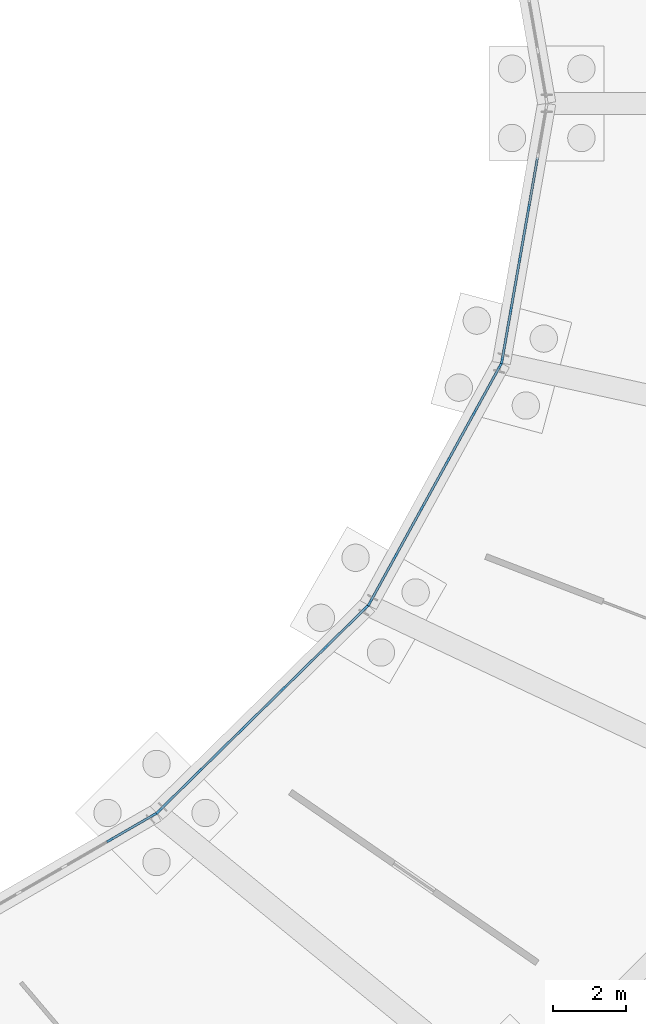
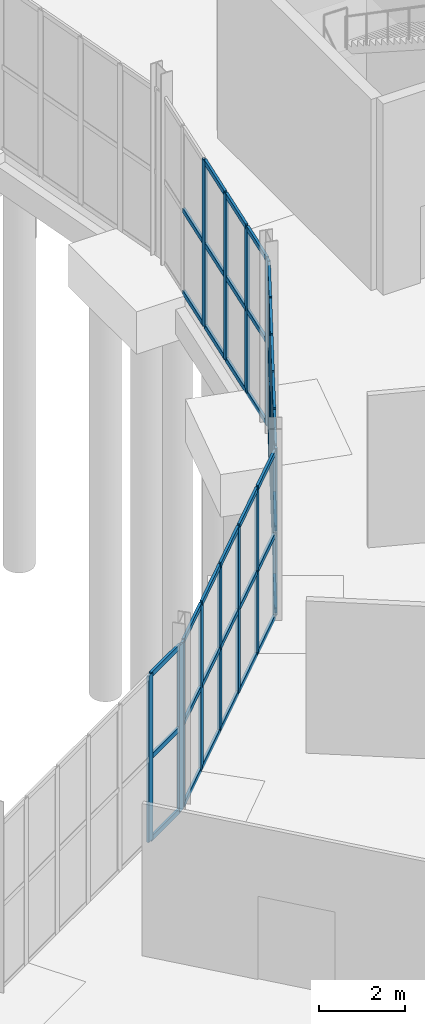
# One storey, part 66 of 118: 62 members, 4 elements without a shape of their own.
"""IFC4 building model written with IfcOpenShell, lengths in metres."""

from ifc_helpers import new_model, si_unit, direction, frame, origin, origin_2d, place, context, subcontext, project, spatial, rectangle, extrude, material, material_profile, profile_set, type_object, element, aggregate, save


model = new_model("IFC4")

# Units and contexts
model_context = context("Model", 3, precision=1e-05, world=origin(), true_north=direction((0.0, 1.0)))
body_context = subcontext(model_context, "Body", "Model", "MODEL_VIEW")
ifc_project = project(units=[si_unit("LENGTHUNIT", "METRE"), si_unit("AREAUNIT", "SQUARE_METRE"), si_unit("VOLUMEUNIT", "CUBIC_METRE"), si_unit("PLANEANGLEUNIT", "RADIAN"), si_unit("MASSUNIT", "GRAM", prefix="KILO")], contexts=[model_context])

# Site, building, storey
site_placement = place(None, origin())
site = spatial("IfcSite", under=ifc_project, at=site_placement, CompositionType="ELEMENT")
building_placement = place(site_placement, origin())
building = spatial("IfcBuilding", under=site, at=building_placement, Name="Kildeholm Park Wholesale Market", CompositionType="ELEMENT")
storey_placement = place(building_placement, origin())
storey = spatial("IfcBuildingStorey", under=building, at=storey_placement, Name="L00", CompositionType="ELEMENT", Elevation=0.0)

# Curtain wall, members
ifc_material_1 = material(Name="Anodised aluminium and low-E double-glazed glass", Category="aluminium")
curtain_wall_type = type_object("IfcCurtainWallType", Name="Market hall glazed arcade stick curtain wall CW-01", PredefinedType="NOTDEFINED", material=ifc_material_1)
curtain_wall_1_placement = place(storey_placement, origin())
curtain_wall_1 = element("IfcCurtainWall", 1, at=curtain_wall_1_placement, inside=storey, type_object=curtain_wall_type, Name="Curtain wall CW-V1-IN0-20 CW-0101", PredefinedType="NOTDEFINED")
ifc_material_2 = material(Name="Anodised aluminium", Category="aluminium")
ifc_material_profile_1 = material_profile(ifc_material_2, rectangle(XDim=0.06494140625, YDim=0.179931640625, at=origin_2d()), Name="CWM 65x180")
ifc_profile_set_1 = profile_set([ifc_material_profile_1], Name="Anodised aluminium")
member_type_1 = type_object("IfcMemberType", Name="Curtain-wall mullion CWM-1 CWM 65x180", PredefinedType="MULLION", material=ifc_profile_set_1)
member_1_placement = place(storey_placement, frame((123.52978515625, 69.309326171875, 0.0), z_axis=(0.0, 0.0, 1.0), x_axis=(-0.500489412982, 0.865742656621, 0.0)))
member_1 = element("IfcMember", 2, at=member_1_placement, type_object=member_type_1, Name="CW-01 mullion 6 MEM-3199", PredefinedType="MULLION", context=body_context, shape_type="SweptSolid", body=[
    extrude(rectangle(XDim=0.06494140625, YDim=0.179931640625, at=origin_2d()), origin(), (0.0, 0.0, 1.0), 4.699951171875),
])
member_2_placement = place(storey_placement, frame((124.749755859375, 70.0146484375, 0.0), z_axis=(0.0, 0.0, 1.0), x_axis=(-0.500489412982, 0.865742656621, 0.0)))
member_2 = element("IfcMember", 3, at=member_2_placement, type_object=member_type_1, Name="CW-01 mullion 7 MEM-3200", PredefinedType="MULLION", context=body_context, shape_type="SweptSolid", body=[
    extrude(rectangle(XDim=0.06494140625, YDim=0.179931640625, at=origin_2d()), origin(), (0.0, 0.0, 1.0), 4.699951171875),
])

curtain_wall_2_placement = place(storey_placement, origin())
curtain_wall_2 = element("IfcCurtainWall", 4, at=curtain_wall_2_placement, inside=storey, type_object=curtain_wall_type, Name="Curtain wall CW-V1-IN0-21 CW-0106", PredefinedType="NOTDEFINED")
member_3_placement = place(storey_placement, frame((124.8662109375, 70.102783203125, 0.0), z_axis=(0.0, 0.0, 1.0), x_axis=(-0.700616534607, 0.713537995789, 0.0)))
member_3 = element("IfcMember", 5, at=member_3_placement, type_object=member_type_1, Name="CW-01 mullion 1 MEM-3335", PredefinedType="MULLION", context=body_context, shape_type="SweptSolid", body=[
    extrude(rectangle(XDim=0.06494140625, YDim=0.179931640625, at=origin_2d()), origin(), (0.0, 0.0, 1.0), 4.699951171875),
])
member_4_placement = place(storey_placement, frame((125.99169921875, 71.207763671875, 0.0), z_axis=(0.0, 0.0, 1.0), x_axis=(-0.700616534607, 0.713537995789, 0.0)))
member_4 = element("IfcMember", 6, at=member_4_placement, type_object=member_type_1, Name="CW-01 mullion 2 MEM-3336", PredefinedType="MULLION", context=body_context, shape_type="SweptSolid", body=[
    extrude(rectangle(XDim=0.06494140625, YDim=0.179931640625, at=origin_2d()), origin(), (0.0, 0.0, 1.0), 4.699951171875),
])
member_5_placement = place(storey_placement, frame((127.14013671875, 72.335693359375, 0.0), z_axis=(0.0, 0.0, 1.0), x_axis=(-0.700616534607, 0.713537995789, 0.0)))
member_5 = element("IfcMember", 7, at=member_5_placement, type_object=member_type_1, Name="CW-01 mullion 3 MEM-3337", PredefinedType="MULLION", context=body_context, shape_type="SweptSolid", body=[
    extrude(rectangle(XDim=0.06494140625, YDim=0.179931640625, at=origin_2d()), origin(), (0.0, 0.0, 1.0), 4.699951171875),
])
member_6_placement = place(storey_placement, frame((128.288818359375, 73.46337890625, 0.0), z_axis=(0.0, 0.0, 1.0), x_axis=(-0.700616534607, 0.713537995789, 0.0)))
member_6 = element("IfcMember", 8, at=member_6_placement, type_object=member_type_1, Name="CW-01 mullion 4 MEM-3338", PredefinedType="MULLION", context=body_context, shape_type="SweptSolid", body=[
    extrude(rectangle(XDim=0.06494140625, YDim=0.179931640625, at=origin_2d()), origin(), (0.0, 0.0, 1.0), 4.699951171875),
])
member_7_placement = place(storey_placement, frame((129.4375, 74.59130859375, 0.0), z_axis=(0.0, 0.0, 1.0), x_axis=(-0.700616534607, 0.713537995789, 0.0)))
member_7 = element("IfcMember", 9, at=member_7_placement, type_object=member_type_1, Name="CW-01 mullion 5 MEM-3339", PredefinedType="MULLION", context=body_context, shape_type="SweptSolid", body=[
    extrude(rectangle(XDim=0.06494140625, YDim=0.179931640625, at=origin_2d()), origin(), (0.0, 0.0, 1.0), 4.699951171875),
])
member_8_placement = place(storey_placement, frame((130.562744140625, 75.6962890625, 0.0), z_axis=(0.0, 0.0, 1.0), x_axis=(-0.700616534607, 0.713537995789, 0.0)))
member_8 = element("IfcMember", 10, at=member_8_placement, type_object=member_type_1, Name="CW-01 mullion 6 MEM-3340", PredefinedType="MULLION", context=body_context, shape_type="SweptSolid", body=[
    extrude(rectangle(XDim=0.06494140625, YDim=0.179931640625, at=origin_2d()), origin(), (0.0, 0.0, 1.0), 4.699951171875),
])

curtain_wall_3_placement = place(storey_placement, origin())
curtain_wall_3 = element("IfcCurtainWall", 11, at=curtain_wall_3_placement, inside=storey, type_object=curtain_wall_type, Name="Curtain wall CW-V1-IN0-22 CW-0111", PredefinedType="NOTDEFINED")
member_9_placement = place(storey_placement, frame((130.650634765625, 75.8115234375, 0.0), z_axis=(0.0, 0.0, 1.0), x_axis=(-0.876308922506, 0.481749595055, 0.0)))
member_9 = element("IfcMember", 12, at=member_9_placement, type_object=member_type_1, Name="CW-01 mullion 1 MEM-3460", PredefinedType="MULLION", context=body_context, shape_type="SweptSolid", body=[
    extrude(rectangle(XDim=0.06494140625, YDim=0.179931640625, at=origin_2d()), origin(), (0.0, 0.0, 1.0), 4.699951171875),
])
member_10_placement = place(storey_placement, frame((131.356689453125, 77.095703125, 0.0), z_axis=(0.0, 0.0, 1.0), x_axis=(-0.876308922506, 0.481749595055, 0.0)))
member_10 = element("IfcMember", 13, at=member_10_placement, type_object=member_type_1, Name="CW-01 mullion 2 MEM-3461", PredefinedType="MULLION", context=body_context, shape_type="SweptSolid", body=[
    extrude(rectangle(XDim=0.06494140625, YDim=0.179931640625, at=origin_2d()), origin(), (0.0, 0.0, 1.0), 4.699951171875),
])
member_11_placement = place(storey_placement, frame((132.078125, 78.408203125, 0.0), z_axis=(0.0, 0.0, 1.0), x_axis=(-0.876308922506, 0.481749595055, 0.0)))
member_11 = element("IfcMember", 14, at=member_11_placement, type_object=member_type_1, Name="CW-01 mullion 3 MEM-3462", PredefinedType="MULLION", context=body_context, shape_type="SweptSolid", body=[
    extrude(rectangle(XDim=0.06494140625, YDim=0.179931640625, at=origin_2d()), origin(), (0.0, 0.0, 1.0), 4.699951171875),
])
member_12_placement = place(storey_placement, frame((132.7998046875, 79.720703125, 0.0), z_axis=(0.0, 0.0, 1.0), x_axis=(-0.876308922506, 0.481749595055, 0.0)))
member_12 = element("IfcMember", 15, at=member_12_placement, type_object=member_type_1, Name="CW-01 mullion 4 MEM-3463", PredefinedType="MULLION", context=body_context, shape_type="SweptSolid", body=[
    extrude(rectangle(XDim=0.06494140625, YDim=0.179931640625, at=origin_2d()), origin(), (0.0, 0.0, 1.0), 4.699951171875),
])
member_13_placement = place(storey_placement, frame((133.521484375, 81.033447265625, 0.0), z_axis=(0.0, 0.0, 1.0), x_axis=(-0.876308922506, 0.481749595055, 0.0)))
member_13 = element("IfcMember", 16, at=member_13_placement, type_object=member_type_1, Name="CW-01 mullion 5 MEM-3464", PredefinedType="MULLION", context=body_context, shape_type="SweptSolid", body=[
    extrude(rectangle(XDim=0.06494140625, YDim=0.179931640625, at=origin_2d()), origin(), (0.0, 0.0, 1.0), 4.699951171875),
])
member_14_placement = place(storey_placement, frame((134.227294921875, 82.317626953125, 0.0), z_axis=(0.0, 0.0, 1.0), x_axis=(-0.876308922506, 0.481749595055, 0.0)))
member_14 = element("IfcMember", 17, at=member_14_placement, type_object=member_type_1, Name="CW-01 mullion 6 MEM-3465", PredefinedType="MULLION", context=body_context, shape_type="SweptSolid", body=[
    extrude(rectangle(XDim=0.06494140625, YDim=0.179931640625, at=origin_2d()), origin(), (0.0, 0.0, 1.0), 4.699951171875),
])

curtain_wall_4_placement = place(storey_placement, origin())
curtain_wall_4 = element("IfcCurtainWall", 18, at=curtain_wall_4_placement, inside=storey, type_object=curtain_wall_type, Name="Curtain wall CW-V1-IN0-23 CW-0116", PredefinedType="NOTDEFINED")
member_15_placement = place(storey_placement, frame((134.275634765625, 82.453125, 0.0), z_axis=(0.0, 0.0, 1.0), x_axis=(-0.985073802851, 0.172132515628, 0.0)))
member_15 = element("IfcMember", 19, at=member_15_placement, type_object=member_type_1, Name="CW-01 mullion 1 MEM-3585", PredefinedType="MULLION", context=body_context, shape_type="SweptSolid", body=[
    extrude(rectangle(XDim=0.06494140625, YDim=0.179931640625, at=origin_2d()), origin(), (0.0, 0.0, 1.0), 4.699951171875),
])
member_16_placement = place(storey_placement, frame((134.51611328125, 83.828857421875, 0.0), z_axis=(0.0, 0.0, 1.0), x_axis=(-0.985073802851, 0.172132515628, 0.0)))
member_16 = element("IfcMember", 20, at=member_16_placement, type_object=member_type_1, Name="CW-01 mullion 2 MEM-3586", PredefinedType="MULLION", context=body_context, shape_type="SweptSolid", body=[
    extrude(rectangle(XDim=0.06494140625, YDim=0.179931640625, at=origin_2d()), origin(), (0.0, 0.0, 1.0), 4.699951171875),
])
member_17_placement = place(storey_placement, frame((134.761962890625, 85.236572265625, 0.0), z_axis=(0.0, 0.0, 1.0), x_axis=(-0.985073802851, 0.172132515628, 0.0)))
member_17 = element("IfcMember", 21, at=member_17_placement, type_object=member_type_1, Name="CW-01 mullion 3 MEM-3587", PredefinedType="MULLION", context=body_context, shape_type="SweptSolid", body=[
    extrude(rectangle(XDim=0.06494140625, YDim=0.179931640625, at=origin_2d()), origin(), (0.0, 0.0, 1.0), 4.699951171875),
])
member_18_placement = place(storey_placement, frame((135.008056640625, 86.644287109375, 0.0), z_axis=(0.0, 0.0, 1.0), x_axis=(-0.985073802851, 0.172132515628, 0.0)))
member_18 = element("IfcMember", 22, at=member_18_placement, type_object=member_type_1, Name="CW-01 mullion 4 MEM-3588", PredefinedType="MULLION", context=body_context, shape_type="SweptSolid", body=[
    extrude(rectangle(XDim=0.06494140625, YDim=0.179931640625, at=origin_2d()), origin(), (0.0, 0.0, 1.0), 4.699951171875),
])

# Member
ifc_material_profile_2 = material_profile(ifc_material_2, rectangle(XDim=0.06494140625, YDim=0.139892578125, at=origin_2d()), Name="CWT 65x140")
ifc_profile_set_2 = profile_set([ifc_material_profile_2], Name="Anodised aluminium")
member_type_2 = type_object("IfcMemberType", Name="Curtain-wall transom CWT-1 CWT 65x140", PredefinedType="USERDEFINED", material=ifc_profile_set_2)
member_19_placement = place(storey_placement, frame((123.557861328125, 69.32568359375, 0.032470703125), z_axis=(0.86572868327, 0.500513583195, 0.0), x_axis=(-0.500513583195, 0.86572868327, 0.0)))
member_19 = element("IfcMember", 23, at=member_19_placement, type_object=member_type_2, Name="CW-01 transom 6.1 MEM-3216", ObjectType="TRANSOM", PredefinedType="USERDEFINED", context=body_context, shape_type="SweptSolid", body=[
    extrude(rectangle(XDim=0.06494140625, YDim=0.139892578125, at=origin_2d()), origin(), (0.0, 0.0, 1.0), 1.34423828125),
])

member_20_placement = place(storey_placement, frame((123.557861328125, 69.32568359375, 2.35009765625), z_axis=(0.86572868327, 0.500513583195, 0.0), x_axis=(-0.500513583195, 0.86572868327, 0.0)))
member_20 = element("IfcMember", 24, at=member_20_placement, type_object=member_type_2, Name="CW-01 transom 6.2 MEM-3217", ObjectType="TRANSOM", PredefinedType="USERDEFINED", context=body_context, shape_type="SweptSolid", body=[
    extrude(rectangle(XDim=0.06494140625, YDim=0.139892578125, at=origin_2d()), origin(), (0.0, 0.0, 1.0), 1.34423828125),
])

member_21_placement = place(storey_placement, frame((123.557861328125, 69.32568359375, 4.66748046875), z_axis=(0.86572868327, 0.500513583195, 0.0), x_axis=(-0.500513583195, 0.86572868327, 0.0)))
member_21 = element("IfcMember", 25, at=member_21_placement, type_object=member_type_2, Name="CW-01 transom 6.3 MEM-3218", ObjectType="TRANSOM", PredefinedType="USERDEFINED", context=body_context, shape_type="SweptSolid", body=[
    extrude(rectangle(XDim=0.06494140625, YDim=0.139892578125, at=origin_2d()), origin(), (0.0, 0.0, 1.0), 1.34423828125),
])

aggregate(curtain_wall_1, [member_1, member_2, member_19, member_20, member_21])

member_22_placement = place(storey_placement, frame((124.889404296875, 70.12548828125, 0.032470703125), z_axis=(0.713534623197, 0.700619969384, 0.0), x_axis=(-0.700619969384, 0.713534623197, 0.0)))
member_22 = element("IfcMember", 26, at=member_22_placement, type_object=member_type_2, Name="CW-01 transom 1.1 MEM-3341", ObjectType="TRANSOM", PredefinedType="USERDEFINED", context=body_context, shape_type="SweptSolid", body=[
    extrude(rectangle(XDim=0.06494140625, YDim=0.139892578125, at=origin_2d()), origin(), (0.0, 0.0, 1.0), 1.512451171875),
])

member_23_placement = place(storey_placement, frame((124.889404296875, 70.12548828125, 2.35009765625), z_axis=(0.713534623197, 0.700619969384, 0.0), x_axis=(-0.700619969384, 0.713534623197, 0.0)))
member_23 = element("IfcMember", 27, at=member_23_placement, type_object=member_type_2, Name="CW-01 transom 1.2 MEM-3342", ObjectType="TRANSOM", PredefinedType="USERDEFINED", context=body_context, shape_type="SweptSolid", body=[
    extrude(rectangle(XDim=0.06494140625, YDim=0.139892578125, at=origin_2d()), origin(), (0.0, 0.0, 1.0), 1.512451171875),
])

member_24_placement = place(storey_placement, frame((124.889404296875, 70.12548828125, 4.66748046875), z_axis=(0.713534623197, 0.700619969384, 0.0), x_axis=(-0.700619969384, 0.713534623197, 0.0)))
member_24 = element("IfcMember", 28, at=member_24_placement, type_object=member_type_2, Name="CW-01 transom 1.3 MEM-3343", ObjectType="TRANSOM", PredefinedType="USERDEFINED", context=body_context, shape_type="SweptSolid", body=[
    extrude(rectangle(XDim=0.06494140625, YDim=0.139892578125, at=origin_2d()), origin(), (0.0, 0.0, 1.0), 1.512451171875),
])

member_25_placement = place(storey_placement, frame((126.014892578125, 71.23046875, 0.032470703125), z_axis=(0.713479202212, 0.700676407489, 0.0), x_axis=(-0.700676407489, 0.713479202212, 0.0)))
member_25 = element("IfcMember", 29, at=member_25_placement, type_object=member_type_2, Name="CW-01 transom 2.1 MEM-3344", ObjectType="TRANSOM", PredefinedType="USERDEFINED", context=body_context, shape_type="SweptSolid", body=[
    extrude(rectangle(XDim=0.06494140625, YDim=0.139892578125, at=origin_2d()), origin(), (0.0, 0.0, 1.0), 1.544677734375),
])

member_26_placement = place(storey_placement, frame((126.014892578125, 71.23046875, 2.35009765625), z_axis=(0.713479202212, 0.700676407489, 0.0), x_axis=(-0.700676407489, 0.713479202212, 0.0)))
member_26 = element("IfcMember", 30, at=member_26_placement, type_object=member_type_2, Name="CW-01 transom 2.2 MEM-3345", ObjectType="TRANSOM", PredefinedType="USERDEFINED", context=body_context, shape_type="SweptSolid", body=[
    extrude(rectangle(XDim=0.06494140625, YDim=0.139892578125, at=origin_2d()), origin(), (0.0, 0.0, 1.0), 1.544677734375),
])

member_27_placement = place(storey_placement, frame((126.014892578125, 71.23046875, 4.66748046875), z_axis=(0.713479202212, 0.700676407489, 0.0), x_axis=(-0.700676407489, 0.713479202212, 0.0)))
member_27 = element("IfcMember", 31, at=member_27_placement, type_object=member_type_2, Name="CW-01 transom 2.3 MEM-3346", ObjectType="TRANSOM", PredefinedType="USERDEFINED", context=body_context, shape_type="SweptSolid", body=[
    extrude(rectangle(XDim=0.06494140625, YDim=0.139892578125, at=origin_2d()), origin(), (0.0, 0.0, 1.0), 1.544677734375),
])

member_28_placement = place(storey_placement, frame((127.163330078125, 72.3583984375, 0.032470703125), z_axis=(0.713556787842, 0.70059739546, 0.0), x_axis=(-0.70059739546, 0.713556787842, 0.0)))
member_28 = element("IfcMember", 32, at=member_28_placement, type_object=member_type_2, Name="CW-01 transom 3.1 MEM-3347", ObjectType="TRANSOM", PredefinedType="USERDEFINED", context=body_context, shape_type="SweptSolid", body=[
    extrude(rectangle(XDim=0.06494140625, YDim=0.139892578125, at=origin_2d()), origin(), (0.0, 0.0, 1.0), 1.544677734375),
])

member_29_placement = place(storey_placement, frame((127.163330078125, 72.3583984375, 2.35009765625), z_axis=(0.713556787842, 0.70059739546, 0.0), x_axis=(-0.70059739546, 0.713556787842, 0.0)))
member_29 = element("IfcMember", 33, at=member_29_placement, type_object=member_type_2, Name="CW-01 transom 3.2 MEM-3348", ObjectType="TRANSOM", PredefinedType="USERDEFINED", context=body_context, shape_type="SweptSolid", body=[
    extrude(rectangle(XDim=0.06494140625, YDim=0.139892578125, at=origin_2d()), origin(), (0.0, 0.0, 1.0), 1.544677734375),
])

member_30_placement = place(storey_placement, frame((127.163330078125, 72.3583984375, 4.66748046875), z_axis=(0.713556787842, 0.70059739546, 0.0), x_axis=(-0.70059739546, 0.713556787842, 0.0)))
member_30 = element("IfcMember", 34, at=member_30_placement, type_object=member_type_2, Name="CW-01 transom 3.3 MEM-3349", ObjectType="TRANSOM", PredefinedType="USERDEFINED", context=body_context, shape_type="SweptSolid", body=[
    extrude(rectangle(XDim=0.06494140625, YDim=0.139892578125, at=origin_2d()), origin(), (0.0, 0.0, 1.0), 1.544677734375),
])

member_31_placement = place(storey_placement, frame((128.31201171875, 73.486083984375, 0.032470703125), z_axis=(0.713556787842, 0.70059739546, 0.0), x_axis=(-0.70059739546, 0.713556787842, 0.0)))
member_31 = element("IfcMember", 35, at=member_31_placement, type_object=member_type_2, Name="CW-01 transom 4.1 MEM-3350", ObjectType="TRANSOM", PredefinedType="USERDEFINED", context=body_context, shape_type="SweptSolid", body=[
    extrude(rectangle(XDim=0.06494140625, YDim=0.139892578125, at=origin_2d()), origin(), (0.0, 0.0, 1.0), 1.544677734375),
])

member_32_placement = place(storey_placement, frame((128.31201171875, 73.486083984375, 2.35009765625), z_axis=(0.713556787842, 0.70059739546, 0.0), x_axis=(-0.70059739546, 0.713556787842, 0.0)))
member_32 = element("IfcMember", 36, at=member_32_placement, type_object=member_type_2, Name="CW-01 transom 4.2 MEM-3351", ObjectType="TRANSOM", PredefinedType="USERDEFINED", context=body_context, shape_type="SweptSolid", body=[
    extrude(rectangle(XDim=0.06494140625, YDim=0.139892578125, at=origin_2d()), origin(), (0.0, 0.0, 1.0), 1.544677734375),
])

member_33_placement = place(storey_placement, frame((128.31201171875, 73.486083984375, 4.66748046875), z_axis=(0.713556787842, 0.70059739546, 0.0), x_axis=(-0.70059739546, 0.713556787842, 0.0)))
member_33 = element("IfcMember", 37, at=member_33_placement, type_object=member_type_2, Name="CW-01 transom 4.3 MEM-3352", ObjectType="TRANSOM", PredefinedType="USERDEFINED", context=body_context, shape_type="SweptSolid", body=[
    extrude(rectangle(XDim=0.06494140625, YDim=0.139892578125, at=origin_2d()), origin(), (0.0, 0.0, 1.0), 1.544677734375),
])

member_34_placement = place(storey_placement, frame((129.460693359375, 74.614013671875, 0.032470703125), z_axis=(0.713536084219, 0.700618481427, 0.0), x_axis=(-0.700618481427, 0.713536084219, 0.0)))
member_34 = element("IfcMember", 38, at=member_34_placement, type_object=member_type_2, Name="CW-01 transom 5.1 MEM-3353", ObjectType="TRANSOM", PredefinedType="USERDEFINED", context=body_context, shape_type="SweptSolid", body=[
    extrude(rectangle(XDim=0.06494140625, YDim=0.139892578125, at=origin_2d()), origin(), (0.0, 0.0, 1.0), 1.511962890625),
])

member_35_placement = place(storey_placement, frame((129.460693359375, 74.614013671875, 2.35009765625), z_axis=(0.713536084219, 0.700618481427, 0.0), x_axis=(-0.700618481427, 0.713536084219, 0.0)))
member_35 = element("IfcMember", 39, at=member_35_placement, type_object=member_type_2, Name="CW-01 transom 5.2 MEM-3354", ObjectType="TRANSOM", PredefinedType="USERDEFINED", context=body_context, shape_type="SweptSolid", body=[
    extrude(rectangle(XDim=0.06494140625, YDim=0.139892578125, at=origin_2d()), origin(), (0.0, 0.0, 1.0), 1.511962890625),
])

member_36_placement = place(storey_placement, frame((129.460693359375, 74.614013671875, 4.66748046875), z_axis=(0.713536084219, 0.700618481427, 0.0), x_axis=(-0.700618481427, 0.713536084219, 0.0)))
member_36 = element("IfcMember", 40, at=member_36_placement, type_object=member_type_2, Name="CW-01 transom 5.3 MEM-3355", ObjectType="TRANSOM", PredefinedType="USERDEFINED", context=body_context, shape_type="SweptSolid", body=[
    extrude(rectangle(XDim=0.06494140625, YDim=0.139892578125, at=origin_2d()), origin(), (0.0, 0.0, 1.0), 1.511962890625),
])

aggregate(curtain_wall_2, [member_3, member_4, member_5, member_6, member_7, member_8, member_22, member_23, member_24, member_25, member_26, member_27, member_28, member_29, member_30, member_31, member_32, member_33, member_34, member_35, member_36])

member_37_placement = place(storey_placement, frame((130.666259765625, 75.83984375, 0.032470703125), z_axis=(0.481804989675, 0.876278467112, 0.0), x_axis=(-0.876278467112, 0.481804989675, 0.0)))
member_37 = element("IfcMember", 41, at=member_37_placement, type_object=member_type_2, Name="CW-01 transom 1.1 MEM-3466", ObjectType="TRANSOM", PredefinedType="USERDEFINED", context=body_context, shape_type="SweptSolid", body=[
    extrude(rectangle(XDim=0.06494140625, YDim=0.139892578125, at=origin_2d()), origin(), (0.0, 0.0, 1.0), 1.400634765625),
])

member_38_placement = place(storey_placement, frame((130.666259765625, 75.83984375, 2.35009765625), z_axis=(0.481804989675, 0.876278467112, 0.0), x_axis=(-0.876278467112, 0.481804989675, 0.0)))
member_38 = element("IfcMember", 42, at=member_38_placement, type_object=member_type_2, Name="CW-01 transom 1.2 MEM-3467", ObjectType="TRANSOM", PredefinedType="USERDEFINED", context=body_context, shape_type="SweptSolid", body=[
    extrude(rectangle(XDim=0.06494140625, YDim=0.139892578125, at=origin_2d()), origin(), (0.0, 0.0, 1.0), 1.400634765625),
])

member_39_placement = place(storey_placement, frame((130.666259765625, 75.83984375, 4.66748046875), z_axis=(0.481804989675, 0.876278467112, 0.0), x_axis=(-0.876278467112, 0.481804989675, 0.0)))
member_39 = element("IfcMember", 43, at=member_39_placement, type_object=member_type_2, Name="CW-01 transom 1.3 MEM-3468", ObjectType="TRANSOM", PredefinedType="USERDEFINED", context=body_context, shape_type="SweptSolid", body=[
    extrude(rectangle(XDim=0.06494140625, YDim=0.139892578125, at=origin_2d()), origin(), (0.0, 0.0, 1.0), 1.400634765625),
])

member_40_placement = place(storey_placement, frame((131.372314453125, 77.1240234375, 0.032470703125), z_axis=(0.481702881374, 0.876334601665, 0.0), x_axis=(-0.876334601665, 0.481702881374, 0.0)))
member_40 = element("IfcMember", 44, at=member_40_placement, type_object=member_type_2, Name="CW-01 transom 2.1 MEM-3469", ObjectType="TRANSOM", PredefinedType="USERDEFINED", context=body_context, shape_type="SweptSolid", body=[
    extrude(rectangle(XDim=0.06494140625, YDim=0.139892578125, at=origin_2d()), origin(), (0.0, 0.0, 1.0), 1.432861328125),
])

member_41_placement = place(storey_placement, frame((131.372314453125, 77.1240234375, 2.35009765625), z_axis=(0.481702881374, 0.876334601665, 0.0), x_axis=(-0.876334601665, 0.481702881374, 0.0)))
member_41 = element("IfcMember", 45, at=member_41_placement, type_object=member_type_2, Name="CW-01 transom 2.2 MEM-3470", ObjectType="TRANSOM", PredefinedType="USERDEFINED", context=body_context, shape_type="SweptSolid", body=[
    extrude(rectangle(XDim=0.06494140625, YDim=0.139892578125, at=origin_2d()), origin(), (0.0, 0.0, 1.0), 1.432861328125),
])

member_42_placement = place(storey_placement, frame((131.372314453125, 77.1240234375, 4.66748046875), z_axis=(0.481702881374, 0.876334601665, 0.0), x_axis=(-0.876334601665, 0.481702881374, 0.0)))
member_42 = element("IfcMember", 46, at=member_42_placement, type_object=member_type_2, Name="CW-01 transom 2.3 MEM-3471", ObjectType="TRANSOM", PredefinedType="USERDEFINED", context=body_context, shape_type="SweptSolid", body=[
    extrude(rectangle(XDim=0.06494140625, YDim=0.139892578125, at=origin_2d()), origin(), (0.0, 0.0, 1.0), 1.432861328125),
])

member_43_placement = place(storey_placement, frame((132.09375, 78.436767578125, 0.032470703125), z_axis=(0.481833721178, 0.87626266903, 0.0), x_axis=(-0.87626266903, 0.481833721178, 0.0)))
member_43 = element("IfcMember", 47, at=member_43_placement, type_object=member_type_2, Name="CW-01 transom 3.1 MEM-3472", ObjectType="TRANSOM", PredefinedType="USERDEFINED", context=body_context, shape_type="SweptSolid", body=[
    extrude(rectangle(XDim=0.06494140625, YDim=0.139892578125, at=origin_2d()), origin(), (0.0, 0.0, 1.0), 1.432861328125),
])

member_44_placement = place(storey_placement, frame((132.09375, 78.436767578125, 2.35009765625), z_axis=(0.481833721178, 0.87626266903, 0.0), x_axis=(-0.87626266903, 0.481833721178, 0.0)))
member_44 = element("IfcMember", 48, at=member_44_placement, type_object=member_type_2, Name="CW-01 transom 3.2 MEM-3473", ObjectType="TRANSOM", PredefinedType="USERDEFINED", context=body_context, shape_type="SweptSolid", body=[
    extrude(rectangle(XDim=0.06494140625, YDim=0.139892578125, at=origin_2d()), origin(), (0.0, 0.0, 1.0), 1.432861328125),
])

member_45_placement = place(storey_placement, frame((132.09375, 78.436767578125, 4.66748046875), z_axis=(0.481833721178, 0.87626266903, 0.0), x_axis=(-0.87626266903, 0.481833721178, 0.0)))
member_45 = element("IfcMember", 49, at=member_45_placement, type_object=member_type_2, Name="CW-01 transom 3.3 MEM-3474", ObjectType="TRANSOM", PredefinedType="USERDEFINED", context=body_context, shape_type="SweptSolid", body=[
    extrude(rectangle(XDim=0.06494140625, YDim=0.139892578125, at=origin_2d()), origin(), (0.0, 0.0, 1.0), 1.432861328125),
])

member_46_placement = place(storey_placement, frame((132.8154296875, 79.749267578125, 0.032470703125), z_axis=(0.481833721178, 0.87626266903, 0.0), x_axis=(-0.87626266903, 0.481833721178, 0.0)))
member_46 = element("IfcMember", 50, at=member_46_placement, type_object=member_type_2, Name="CW-01 transom 4.1 MEM-3475", ObjectType="TRANSOM", PredefinedType="USERDEFINED", context=body_context, shape_type="SweptSolid", body=[
    extrude(rectangle(XDim=0.06494140625, YDim=0.139892578125, at=origin_2d()), origin(), (0.0, 0.0, 1.0), 1.432861328125),
])

member_47_placement = place(storey_placement, frame((132.8154296875, 79.749267578125, 2.35009765625), z_axis=(0.481833721178, 0.87626266903, 0.0), x_axis=(-0.87626266903, 0.481833721178, 0.0)))
member_47 = element("IfcMember", 51, at=member_47_placement, type_object=member_type_2, Name="CW-01 transom 4.2 MEM-3476", ObjectType="TRANSOM", PredefinedType="USERDEFINED", context=body_context, shape_type="SweptSolid", body=[
    extrude(rectangle(XDim=0.06494140625, YDim=0.139892578125, at=origin_2d()), origin(), (0.0, 0.0, 1.0), 1.432861328125),
])

member_48_placement = place(storey_placement, frame((132.8154296875, 79.749267578125, 4.66748046875), z_axis=(0.481833721178, 0.87626266903, 0.0), x_axis=(-0.87626266903, 0.481833721178, 0.0)))
member_48 = element("IfcMember", 52, at=member_48_placement, type_object=member_type_2, Name="CW-01 transom 4.3 MEM-3477", ObjectType="TRANSOM", PredefinedType="USERDEFINED", context=body_context, shape_type="SweptSolid", body=[
    extrude(rectangle(XDim=0.06494140625, YDim=0.139892578125, at=origin_2d()), origin(), (0.0, 0.0, 1.0), 1.432861328125),
])

member_49_placement = place(storey_placement, frame((133.537109375, 81.061767578125, 0.032470703125), z_axis=(0.481671123072, 0.876352057793, 0.0), x_axis=(-0.876352057793, 0.481671123072, 0.0)))
member_49 = element("IfcMember", 53, at=member_49_placement, type_object=member_type_2, Name="CW-01 transom 5.1 MEM-3478", ObjectType="TRANSOM", PredefinedType="USERDEFINED", context=body_context, shape_type="SweptSolid", body=[
    extrude(rectangle(XDim=0.06494140625, YDim=0.139892578125, at=origin_2d()), origin(), (0.0, 0.0, 1.0), 1.400390625),
])

member_50_placement = place(storey_placement, frame((133.537109375, 81.061767578125, 2.35009765625), z_axis=(0.481671123072, 0.876352057793, 0.0), x_axis=(-0.876352057793, 0.481671123072, 0.0)))
member_50 = element("IfcMember", 54, at=member_50_placement, type_object=member_type_2, Name="CW-01 transom 5.2 MEM-3479", ObjectType="TRANSOM", PredefinedType="USERDEFINED", context=body_context, shape_type="SweptSolid", body=[
    extrude(rectangle(XDim=0.06494140625, YDim=0.139892578125, at=origin_2d()), origin(), (0.0, 0.0, 1.0), 1.400390625),
])

member_51_placement = place(storey_placement, frame((133.537109375, 81.061767578125, 4.66748046875), z_axis=(0.481671123072, 0.876352057793, 0.0), x_axis=(-0.876352057793, 0.481671123072, 0.0)))
member_51 = element("IfcMember", 55, at=member_51_placement, type_object=member_type_2, Name="CW-01 transom 5.3 MEM-3480", ObjectType="TRANSOM", PredefinedType="USERDEFINED", context=body_context, shape_type="SweptSolid", body=[
    extrude(rectangle(XDim=0.06494140625, YDim=0.139892578125, at=origin_2d()), origin(), (0.0, 0.0, 1.0), 1.400390625),
])

aggregate(curtain_wall_3, [member_9, member_10, member_11, member_12, member_13, member_14, member_37, member_38, member_39, member_40, member_41, member_42, member_43, member_44, member_45, member_46, member_47, member_48, member_49, member_50, member_51])

member_52_placement = place(storey_placement, frame((134.28125, 82.485107421875, 0.032470703125), z_axis=(0.172153518423, 0.985070132577, 0.0), x_axis=(-0.985070132577, 0.172153518423, 0.0)))
member_52 = element("IfcMember", 56, at=member_52_placement, type_object=member_type_2, Name="CW-01 transom 1.1 MEM-3591", ObjectType="TRANSOM", PredefinedType="USERDEFINED", context=body_context, shape_type="SweptSolid", body=[
    extrude(rectangle(XDim=0.06494140625, YDim=0.139892578125, at=origin_2d()), origin(), (0.0, 0.0, 1.0), 1.33154296875),
])

member_53_placement = place(storey_placement, frame((134.28125, 82.485107421875, 2.35009765625), z_axis=(0.172153518423, 0.985070132577, 0.0), x_axis=(-0.985070132577, 0.172153518423, 0.0)))
member_53 = element("IfcMember", 57, at=member_53_placement, type_object=member_type_2, Name="CW-01 transom 1.2 MEM-3592", ObjectType="TRANSOM", PredefinedType="USERDEFINED", context=body_context, shape_type="SweptSolid", body=[
    extrude(rectangle(XDim=0.06494140625, YDim=0.139892578125, at=origin_2d()), origin(), (0.0, 0.0, 1.0), 1.33154296875),
])

member_54_placement = place(storey_placement, frame((134.28125, 82.485107421875, 4.66748046875), z_axis=(0.172153518423, 0.985070132577, 0.0), x_axis=(-0.985070132577, 0.172153518423, 0.0)))
member_54 = element("IfcMember", 58, at=member_54_placement, type_object=member_type_2, Name="CW-01 transom 1.3 MEM-3593", ObjectType="TRANSOM", PredefinedType="USERDEFINED", context=body_context, shape_type="SweptSolid", body=[
    extrude(rectangle(XDim=0.06494140625, YDim=0.139892578125, at=origin_2d()), origin(), (0.0, 0.0, 1.0), 1.33154296875),
])

member_55_placement = place(storey_placement, frame((134.521484375, 83.86083984375, 0.032470703125), z_axis=(0.172171942211, 0.985066912608, 0.0), x_axis=(-0.985066912608, 0.172171942211, 0.0)))
member_55 = element("IfcMember", 59, at=member_55_placement, type_object=member_type_2, Name="CW-01 transom 2.1 MEM-3594", ObjectType="TRANSOM", PredefinedType="USERDEFINED", context=body_context, shape_type="SweptSolid", body=[
    extrude(rectangle(XDim=0.06494140625, YDim=0.139892578125, at=origin_2d()), origin(), (0.0, 0.0, 1.0), 1.364013671875),
])

member_56_placement = place(storey_placement, frame((134.521484375, 83.86083984375, 2.35009765625), z_axis=(0.172171942211, 0.985066912608, 0.0), x_axis=(-0.985066912608, 0.172171942211, 0.0)))
member_56 = element("IfcMember", 60, at=member_56_placement, type_object=member_type_2, Name="CW-01 transom 2.2 MEM-3595", ObjectType="TRANSOM", PredefinedType="USERDEFINED", context=body_context, shape_type="SweptSolid", body=[
    extrude(rectangle(XDim=0.06494140625, YDim=0.139892578125, at=origin_2d()), origin(), (0.0, 0.0, 1.0), 1.364013671875),
])

member_57_placement = place(storey_placement, frame((134.521484375, 83.86083984375, 4.66748046875), z_axis=(0.172171942211, 0.985066912608, 0.0), x_axis=(-0.985066912608, 0.172171942211, 0.0)))
member_57 = element("IfcMember", 61, at=member_57_placement, type_object=member_type_2, Name="CW-01 transom 2.3 MEM-3596", ObjectType="TRANSOM", PredefinedType="USERDEFINED", context=body_context, shape_type="SweptSolid", body=[
    extrude(rectangle(XDim=0.06494140625, YDim=0.139892578125, at=origin_2d()), origin(), (0.0, 0.0, 1.0), 1.364013671875),
])

member_58_placement = place(storey_placement, frame((134.767578125, 85.2685546875, 0.032470703125), z_axis=(0.172171942211, 0.985066912608, 0.0), x_axis=(-0.985066912608, 0.172171942211, 0.0)))
member_58 = element("IfcMember", 62, at=member_58_placement, type_object=member_type_2, Name="CW-01 transom 3.1 MEM-3597", ObjectType="TRANSOM", PredefinedType="USERDEFINED", context=body_context, shape_type="SweptSolid", body=[
    extrude(rectangle(XDim=0.06494140625, YDim=0.139892578125, at=origin_2d()), origin(), (0.0, 0.0, 1.0), 1.364013671875),
])

member_59_placement = place(storey_placement, frame((134.767578125, 85.2685546875, 2.35009765625), z_axis=(0.172171942211, 0.985066912608, 0.0), x_axis=(-0.985066912608, 0.172171942211, 0.0)))
member_59 = element("IfcMember", 63, at=member_59_placement, type_object=member_type_2, Name="CW-01 transom 3.2 MEM-3598", ObjectType="TRANSOM", PredefinedType="USERDEFINED", context=body_context, shape_type="SweptSolid", body=[
    extrude(rectangle(XDim=0.06494140625, YDim=0.139892578125, at=origin_2d()), origin(), (0.0, 0.0, 1.0), 1.364013671875),
])

member_60_placement = place(storey_placement, frame((134.767578125, 85.2685546875, 4.66748046875), z_axis=(0.172171942211, 0.985066912608, 0.0), x_axis=(-0.985066912608, 0.172171942211, 0.0)))
member_60 = element("IfcMember", 64, at=member_60_placement, type_object=member_type_2, Name="CW-01 transom 3.3 MEM-3599", ObjectType="TRANSOM", PredefinedType="USERDEFINED", context=body_context, shape_type="SweptSolid", body=[
    extrude(rectangle(XDim=0.06494140625, YDim=0.139892578125, at=origin_2d()), origin(), (0.0, 0.0, 1.0), 1.364013671875),
])

member_61_placement = place(storey_placement, frame((135.013671875, 86.676513671875, 0.032470703125), z_axis=(0.171998266599, 0.985097252197, 0.0), x_axis=(-0.985097252197, 0.171998266599, 0.0)))
member_61 = element("IfcMember", 65, at=member_61_placement, type_object=member_type_2, Name="CW-01 transom 4.1 MEM-3600", ObjectType="TRANSOM", PredefinedType="USERDEFINED", context=body_context, shape_type="SweptSolid", body=[
    extrude(rectangle(XDim=0.06494140625, YDim=0.139892578125, at=origin_2d()), origin(), (0.0, 0.0, 1.0), 1.364013671875),
])

member_62_placement = place(storey_placement, frame((135.013671875, 86.676513671875, 2.35009765625), z_axis=(0.171998266599, 0.985097252197, 0.0), x_axis=(-0.985097252197, 0.171998266599, 0.0)))
member_62 = element("IfcMember", 66, at=member_62_placement, type_object=member_type_2, Name="CW-01 transom 4.2 MEM-3601", ObjectType="TRANSOM", PredefinedType="USERDEFINED", context=body_context, shape_type="SweptSolid", body=[
    extrude(rectangle(XDim=0.06494140625, YDim=0.139892578125, at=origin_2d()), origin(), (0.0, 0.0, 1.0), 1.364013671875),
])

aggregate(curtain_wall_4, [member_15, member_16, member_17, member_18, member_52, member_53, member_54, member_55, member_56, member_57, member_58, member_59, member_60, member_61, member_62])

save(model, "model.ifc")
